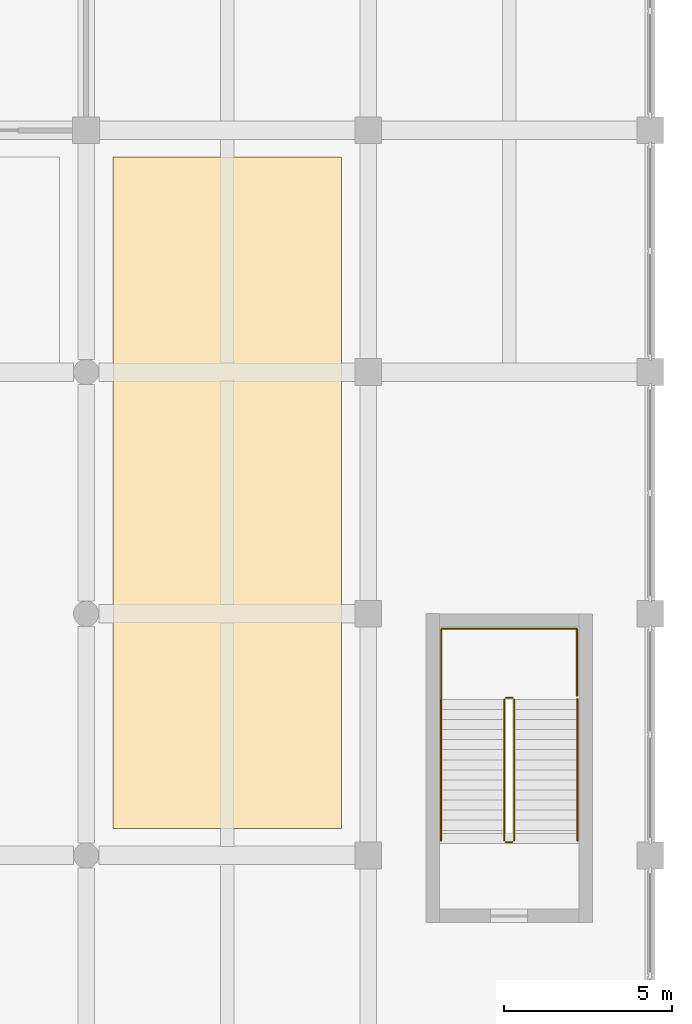
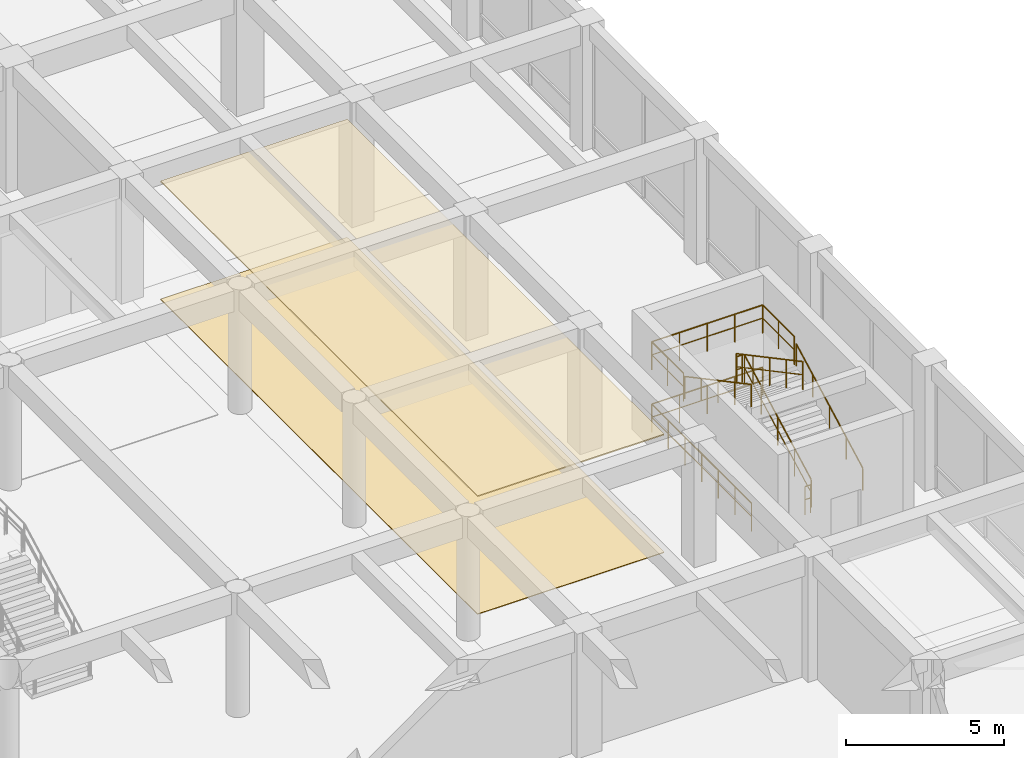
# One storey, part 43 of 49: 8 railings, 2 coverings.
"""IFC4 building model written with IfcOpenShell, lengths in metres."""

from ifc_helpers import new_model, si_unit, direction, frame, origin, origin_2d, place, context, subcontext, project, spatial, polyline, circle, outline, extrude, material, layer, layer_set, type_object, element, save


model = new_model("IFC4")

# Units and contexts
model_context = context("Model", 3, precision=1e-05, world=origin(), true_north=direction((0.0, 1.0)))
body_context = subcontext(model_context, "Body", "Model", "MODEL_VIEW")
ifc_project = project(units=[si_unit("LENGTHUNIT", "METRE"), si_unit("AREAUNIT", "SQUARE_METRE"), si_unit("VOLUMEUNIT", "CUBIC_METRE"), si_unit("PLANEANGLEUNIT", "RADIAN"), si_unit("MASSUNIT", "GRAM", prefix="KILO")], contexts=[model_context])

# Site, building, storey
site_placement = place(None, origin())
site = spatial("IfcSite", under=ifc_project, at=site_placement, CompositionType="ELEMENT")
building_placement = place(site_placement, origin())
building = spatial("IfcBuilding", under=site, at=building_placement, Name="Kenerak Square Central Library", CompositionType="ELEMENT")
storey_placement = place(building_placement, origin())
storey = spatial("IfcBuildingStorey", under=building, at=storey_placement, Name="L00", CompositionType="ELEMENT", Elevation=0.0)

# Coverings
ifc_material_1 = material(Name="Chengal hardwood timber SG1", Category="wood")
ifc_layer_1 = layer(ifc_material_1, 0.044921875)
ifc_layer_set_1 = layer_set([ifc_layer_1], Name="Chengal hardwood timber SG1")
covering_type_1 = type_object("IfcCoveringType", Name="Perforated Chengal Acoustic Ceiling CV-CEIL", PredefinedType="CEILING", material=ifc_layer_set_1)
covering_1_placement = place(storey_placement, frame((0.0, 0.0, 4.530029296875)))
element("IfcCovering", 1, at=covering_1_placement, inside=storey, type_object=covering_type_1, Name="Acoustic Ceiling L00-23", PredefinedType="CEILING", context=body_context, shape_type="SweptSolid", body=[
    extrude(outline(polyline([(101.199951171875, 80.800048828125), (108.0, 80.800048828125), (108.0, 60.800048828125), (101.199951171875, 60.800048828125), (101.199951171875, 80.800048828125)])), origin(), (0.0, 0.0, 1.0), 0.044921875),
])
ifc_material_2 = material(Name="Polished granite aggregate terrazzo", Category="masonry")
ifc_layer_2 = layer(ifc_material_2, 0.02490234375)
ifc_layer_set_2 = layer_set([ifc_layer_2], Name="Polished granite aggregate terrazzo")
covering_type_2 = type_object("IfcCoveringType", Name="Polished Terrazzo Reading Floor Finish CV-FLR", PredefinedType="FLOORING", material=ifc_layer_set_2)
covering_2_placement = place(storey_placement, origin())
element("IfcCovering", 2, at=covering_2_placement, inside=storey, type_object=covering_type_2, Name="Terrazzo Floor Finish L00-23", PredefinedType="FLOORING", context=body_context, shape_type="SweptSolid", body=[
    extrude(outline(polyline([(101.199951171875, 80.800048828125), (108.0, 80.800048828125), (108.0, 60.800048828125), (101.199951171875, 60.800048828125), (101.199951171875, 80.800048828125)])), origin(), (0.0, 0.0, 1.0), 0.02490234375),
])

# Railings
ifc_material_3 = material(Name="Steel S355", Category="steel")
railing_type_1 = type_object("IfcRailingType", Name="Safety Guardrail GR-1100 S355", PredefinedType="GUARDRAIL", material=ifc_material_3)
railing_1_placement = place(storey_placement, frame((113.14990234375, 60.449951171875, 0.159912109375)))
element("IfcRailing", 3, at=railing_1_placement, inside=storey, type_object=railing_type_1, Name="L00 ST-09 stair guard 1", PredefinedType="GUARDRAIL", context=body_context, shape_type="SweptSolid", body=[
    extrude(circle(Radius=0.02392578125, at=origin_2d()), frame((0.0, 0.0, 1.076171875), z_axis=(0.0, 0.882351521365, 0.470590897432), x_axis=(-1.0, 0.0, 0.0)), (0.0, 0.0, 1.0), 4.760009765625),
    extrude(circle(Radius=0.01806640625, at=origin_2d()), frame((0.0, 0.0, 0.572021484375), z_axis=(0.0, 0.882351521365, 0.470590897432), x_axis=(-1.0, 0.0, 0.0)), (0.0, 0.0, 1.0), 4.760009765625),
    extrude(circle(Radius=0.02099609375, at=origin_2d()), origin(), (0.0, 0.0, 1.0), 1.052001953125),
    extrude(circle(Radius=0.02099609375, at=origin_2d()), frame((0.0, 1.050048828125, 0.56005859375)), (0.0, 0.0, 1.0), 1.052001953125),
    extrude(circle(Radius=0.02099609375, at=origin_2d()), frame((0.0, 2.10009765625, 1.1201171875)), (0.0, 0.0, 1.0), 1.052001953125),
    extrude(circle(Radius=0.02099609375, at=origin_2d()), frame((0.0, 3.14990234375, 1.679931640625)), (0.0, 0.0, 1.0), 1.052001953125),
    extrude(circle(Radius=0.02099609375, at=origin_2d()), frame((0.0, 4.199951171875, 2.239990234375)), (0.0, 0.0, 1.0), 1.052001953125),
])
railing_2_placement = place(storey_placement, frame((113.10009765625, 64.699951171875, 2.39990234375)))
element("IfcRailing", 4, at=railing_2_placement, inside=storey, type_object=railing_type_1, Name="L00 ST-09 stair guard 2", PredefinedType="GUARDRAIL", context=body_context, shape_type="SweptSolid", body=[
    extrude(circle(Radius=0.02392578125, at=origin_2d()), frame((0.0, 0.0, 1.076171875), z_axis=(-1.0, 0.0, 0.0), x_axis=(0.0, -1.0, 0.0)), (0.0, 0.0, 1.0), 0.2001953125),
    extrude(circle(Radius=0.01806640625, at=origin_2d()), frame((0.0, 0.0, 0.572021484375), z_axis=(-1.0, 0.0, 0.0), x_axis=(0.0, -1.0, 0.0)), (0.0, 0.0, 1.0), 0.2001953125),
    extrude(circle(Radius=0.02099609375, at=origin_2d()), origin(), (0.0, 0.0, 1.0), 1.052001953125),
    extrude(circle(Radius=0.02099609375, at=origin_2d()), frame((-0.2001953125, 0.0, 0.0)), (0.0, 0.0, 1.0), 1.052001953125),
])
railing_3_placement = place(storey_placement, frame((112.85009765625, 64.64990234375, 2.56005859375)))
element("IfcRailing", 5, at=railing_3_placement, inside=storey, type_object=railing_type_1, Name="L00 ST-09 stair guard 3", PredefinedType="GUARDRAIL", context=body_context, shape_type="SweptSolid", body=[
    extrude(circle(Radius=0.02392578125, at=origin_2d()), frame((0.0, 0.0, 1.076171875), z_axis=(0.0, -0.882351521365, 0.470590897432), x_axis=(1.0, 0.0, 0.0)), (0.0, 0.0, 1.0), 4.760009765625),
    extrude(circle(Radius=0.01806640625, at=origin_2d()), frame((0.0, 0.0, 0.572021484375), z_axis=(0.0, -0.882351521365, 0.470590897432), x_axis=(1.0, 0.0, 0.0)), (0.0, 0.0, 1.0), 4.760009765625),
    extrude(circle(Radius=0.02099609375, at=origin_2d()), origin(), (0.0, 0.0, 1.0), 1.052001953125),
    extrude(circle(Radius=0.02099609375, at=origin_2d()), frame((0.0, -1.050048828125, 0.56005859375)), (0.0, 0.0, 1.0), 1.052001953125),
    extrude(circle(Radius=0.02099609375, at=origin_2d()), frame((0.0, -2.10009765625, 1.1201171875)), (0.0, 0.0, 1.0), 1.052001953125),
    extrude(circle(Radius=0.02099609375, at=origin_2d()), frame((0.0, -3.14990234375, 1.679931640625)), (0.0, 0.0, 1.0), 1.052001953125),
    extrude(circle(Radius=0.02099609375, at=origin_2d()), frame((0.0, -4.199951171875, 2.239990234375)), (0.0, 0.0, 1.0), 1.052001953125),
])
railing_4_placement = place(storey_placement, frame((113.10009765625, 60.39990234375, 0.0)))
element("IfcRailing", 6, at=railing_4_placement, inside=storey, type_object=railing_type_1, Name="L00 ST-09 stair guard 4", PredefinedType="GUARDRAIL", context=body_context, shape_type="SweptSolid", body=[
    extrude(circle(Radius=0.02392578125, at=origin_2d()), frame((0.0, 0.0, 1.076171875), z_axis=(-1.0, 0.0, 0.0), x_axis=(0.0, -1.0, 0.0)), (0.0, 0.0, 1.0), 0.2001953125),
    extrude(circle(Radius=0.01806640625, at=origin_2d()), frame((0.0, 0.0, 0.572021484375), z_axis=(-1.0, 0.0, 0.0), x_axis=(0.0, -1.0, 0.0)), (0.0, 0.0, 1.0), 0.2001953125),
    extrude(circle(Radius=0.02099609375, at=origin_2d()), origin(), (0.0, 0.0, 1.0), 1.052001953125),
    extrude(circle(Radius=0.02099609375, at=origin_2d()), frame((-0.2001953125, 0.0, 0.0)), (0.0, 0.0, 1.0), 1.052001953125),
])
railing_5_placement = place(storey_placement, frame((110.97998046875, 64.75, 2.39990234375)))
element("IfcRailing", 7, at=railing_5_placement, inside=storey, type_object=railing_type_1, Name="Stair Half-Landing Guard ST-09 L00", PredefinedType="GUARDRAIL", context=body_context, shape_type="SweptSolid", body=[
    extrude(circle(Radius=0.02392578125, at=origin_2d()), frame((0.0, 0.0, 1.076171875), z_axis=(0.0, 1.0, 0.0), x_axis=(-1.0, 0.0, 0.0)), (0.0, 0.0, 1.0), 2.0),
    extrude(circle(Radius=0.01806640625, at=origin_2d()), frame((0.0, 0.0, 0.572021484375), z_axis=(0.0, 1.0, 0.0), x_axis=(-1.0, 0.0, 0.0)), (0.0, 0.0, 1.0), 2.0),
    extrude(circle(Radius=0.02392578125, at=origin_2d()), frame((0.0, 2.0, 1.076171875), z_axis=(1.0, 0.0, 0.0), x_axis=(0.0, 1.0, 0.0)), (0.0, 0.0, 1.0), 4.0400390625),
    extrude(circle(Radius=0.01806640625, at=origin_2d()), frame((0.0, 2.0, 0.572021484375), z_axis=(1.0, 0.0, 0.0), x_axis=(0.0, 1.0, 0.0)), (0.0, 0.0, 1.0), 4.0400390625),
    extrude(circle(Radius=0.02392578125, at=origin_2d()), frame((4.0400390625, 2.0, 1.076171875), z_axis=(0.0, -1.0, 0.0), x_axis=(1.0, 0.0, 0.0)), (0.0, 0.0, 1.0), 2.0),
    extrude(circle(Radius=0.01806640625, at=origin_2d()), frame((4.0400390625, 2.0, 0.572021484375), z_axis=(0.0, -1.0, 0.0), x_axis=(1.0, 0.0, 0.0)), (0.0, 0.0, 1.0), 2.0),
    extrude(circle(Radius=0.02099609375, at=origin_2d()), origin(), (0.0, 0.0, 1.0), 1.052001953125),
    extrude(circle(Radius=0.02099609375, at=origin_2d()), frame((0.0, 1.0, 0.0)), (0.0, 0.0, 1.0), 1.052001953125),
    extrude(circle(Radius=0.02099609375, at=origin_2d()), frame((0.0, 2.0, 0.0)), (0.0, 0.0, 1.0), 1.052001953125),
    extrude(circle(Radius=0.02099609375, at=origin_2d()), frame((1.010009765625, 2.0, 0.0)), (0.0, 0.0, 1.0), 1.052001953125),
    extrude(circle(Radius=0.02099609375, at=origin_2d()), frame((2.02001953125, 2.0, 0.0)), (0.0, 0.0, 1.0), 1.052001953125),
    extrude(circle(Radius=0.02099609375, at=origin_2d()), frame((3.030029296875, 2.0, 0.0)), (0.0, 0.0, 1.0), 1.052001953125),
    extrude(circle(Radius=0.02099609375, at=origin_2d()), frame((4.0400390625, 2.0, 0.0)), (0.0, 0.0, 1.0), 1.052001953125),
    extrude(circle(Radius=0.02099609375, at=origin_2d()), frame((4.0400390625, 1.0, 0.0)), (0.0, 0.0, 1.0), 1.052001953125),
    extrude(circle(Radius=0.02099609375, at=origin_2d()), frame((4.0400390625, 0.0, 0.0)), (0.0, 0.0, 1.0), 1.052001953125),
])
railing_6_placement = place(storey_placement, frame((110.97998046875, 60.449951171875, 0.0)))
element("IfcRailing", 8, at=railing_6_placement, inside=storey, type_object=railing_type_1, Name="Stair Well Floor Guard ST-09 L00", PredefinedType="GUARDRAIL", context=body_context, shape_type="SweptSolid", body=[
    extrude(circle(Radius=0.02392578125, at=origin_2d()), frame((0.0, 0.0, 1.076171875), z_axis=(0.0, 1.0, 0.0), x_axis=(-1.0, 0.0, 0.0)), (0.0, 0.0, 1.0), 6.300048828125),
    extrude(circle(Radius=0.01806640625, at=origin_2d()), frame((0.0, 0.0, 0.572021484375), z_axis=(0.0, 1.0, 0.0), x_axis=(-1.0, 0.0, 0.0)), (0.0, 0.0, 1.0), 6.300048828125),
    extrude(circle(Radius=0.02392578125, at=origin_2d()), frame((0.0, 6.300048828125, 1.076171875), z_axis=(1.0, 0.0, 0.0), x_axis=(0.0, 1.0, 0.0)), (0.0, 0.0, 1.0), 4.0400390625),
    extrude(circle(Radius=0.01806640625, at=origin_2d()), frame((0.0, 6.300048828125, 0.572021484375), z_axis=(1.0, 0.0, 0.0), x_axis=(0.0, 1.0, 0.0)), (0.0, 0.0, 1.0), 4.0400390625),
    extrude(circle(Radius=0.02099609375, at=origin_2d()), origin(), (0.0, 0.0, 1.0), 1.052001953125),
    extrude(circle(Radius=0.02099609375, at=origin_2d()), frame((0.0, 1.050048828125, 0.0)), (0.0, 0.0, 1.0), 1.052001953125),
    extrude(circle(Radius=0.02099609375, at=origin_2d()), frame((0.0, 2.10009765625, 0.0)), (0.0, 0.0, 1.0), 1.052001953125),
    extrude(circle(Radius=0.02099609375, at=origin_2d()), frame((0.0, 3.14990234375, 0.0)), (0.0, 0.0, 1.0), 1.052001953125),
    extrude(circle(Radius=0.02099609375, at=origin_2d()), frame((0.0, 4.199951171875, 0.0)), (0.0, 0.0, 1.0), 1.052001953125),
    extrude(circle(Radius=0.02099609375, at=origin_2d()), frame((0.0, 5.25, 0.0)), (0.0, 0.0, 1.0), 1.052001953125),
    extrude(circle(Radius=0.02099609375, at=origin_2d()), frame((0.0, 6.300048828125, 0.0)), (0.0, 0.0, 1.0), 1.052001953125),
    extrude(circle(Radius=0.02099609375, at=origin_2d()), frame((1.010009765625, 6.300048828125, 0.0)), (0.0, 0.0, 1.0), 1.052001953125),
    extrude(circle(Radius=0.02099609375, at=origin_2d()), frame((2.02001953125, 6.300048828125, 0.0)), (0.0, 0.0, 1.0), 1.052001953125),
    extrude(circle(Radius=0.02099609375, at=origin_2d()), frame((3.030029296875, 6.300048828125, 0.0)), (0.0, 0.0, 1.0), 1.052001953125),
    extrude(circle(Radius=0.02099609375, at=origin_2d()), frame((4.0400390625, 6.300048828125, 0.0)), (0.0, 0.0, 1.0), 1.052001953125),
])
railing_type_2 = type_object("IfcRailingType", Name="Stair Handrail HR-880 S355", PredefinedType="HANDRAIL", material=ifc_material_3)
railing_7_placement = place(storey_placement, frame((115.030029296875, 60.449951171875, 0.159912109375)))
element("IfcRailing", 9, at=railing_7_placement, inside=storey, type_object=railing_type_2, Name="L00 ST-09 stair handrail 1", PredefinedType="HANDRAIL", context=body_context, shape_type="SweptSolid", body=[
    extrude(circle(Radius=0.02392578125, at=origin_2d()), frame((0.0, 0.0, 0.85595703125), z_axis=(0.0, 0.882351521365, 0.470590897432), x_axis=(-1.0, 0.0, 0.0)), (0.0, 0.0, 1.0), 4.760009765625),
    extrude(circle(Radius=0.02099609375, at=origin_2d()), origin(), (0.0, 0.0, 1.0), 0.831787109375),
    extrude(circle(Radius=0.02099609375, at=origin_2d()), frame((0.0, 1.050048828125, 0.56005859375)), (0.0, 0.0, 1.0), 0.831787109375),
    extrude(circle(Radius=0.02099609375, at=origin_2d()), frame((0.0, 2.10009765625, 1.1201171875)), (0.0, 0.0, 1.0), 0.831787109375),
    extrude(circle(Radius=0.02099609375, at=origin_2d()), frame((0.0, 3.14990234375, 1.679931640625)), (0.0, 0.0, 1.0), 0.831787109375),
    extrude(circle(Radius=0.02099609375, at=origin_2d()), frame((0.0, 4.199951171875, 2.239990234375)), (0.0, 0.0, 1.0), 0.831787109375),
])
railing_8_placement = place(storey_placement, frame((110.969970703125, 64.64990234375, 2.56005859375)))
element("IfcRailing", 10, at=railing_8_placement, inside=storey, type_object=railing_type_2, Name="L00 ST-09 stair handrail 2", PredefinedType="HANDRAIL", context=body_context, shape_type="SweptSolid", body=[
    extrude(circle(Radius=0.02392578125, at=origin_2d()), frame((0.0, 0.0, 0.85595703125), z_axis=(0.0, -0.882351521365, 0.470590897432), x_axis=(1.0, 0.0, 0.0)), (0.0, 0.0, 1.0), 4.760009765625),
    extrude(circle(Radius=0.02099609375, at=origin_2d()), origin(), (0.0, 0.0, 1.0), 0.831787109375),
    extrude(circle(Radius=0.02099609375, at=origin_2d()), frame((0.0, -1.050048828125, 0.56005859375)), (0.0, 0.0, 1.0), 0.831787109375),
    extrude(circle(Radius=0.02099609375, at=origin_2d()), frame((0.0, -2.10009765625, 1.1201171875)), (0.0, 0.0, 1.0), 0.831787109375),
    extrude(circle(Radius=0.02099609375, at=origin_2d()), frame((0.0, -3.14990234375, 1.679931640625)), (0.0, 0.0, 1.0), 0.831787109375),
    extrude(circle(Radius=0.02099609375, at=origin_2d()), frame((0.0, -4.199951171875, 2.239990234375)), (0.0, 0.0, 1.0), 0.831787109375),
])

save(model, "model.ifc")
